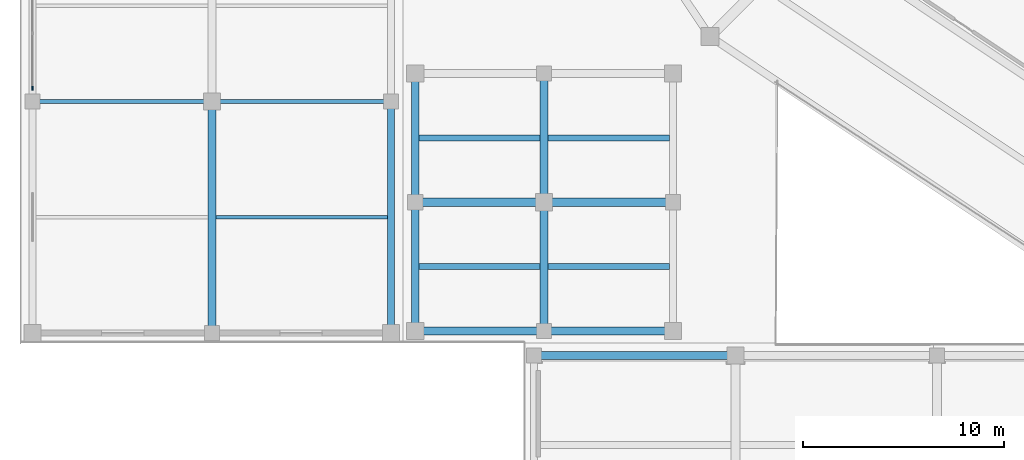
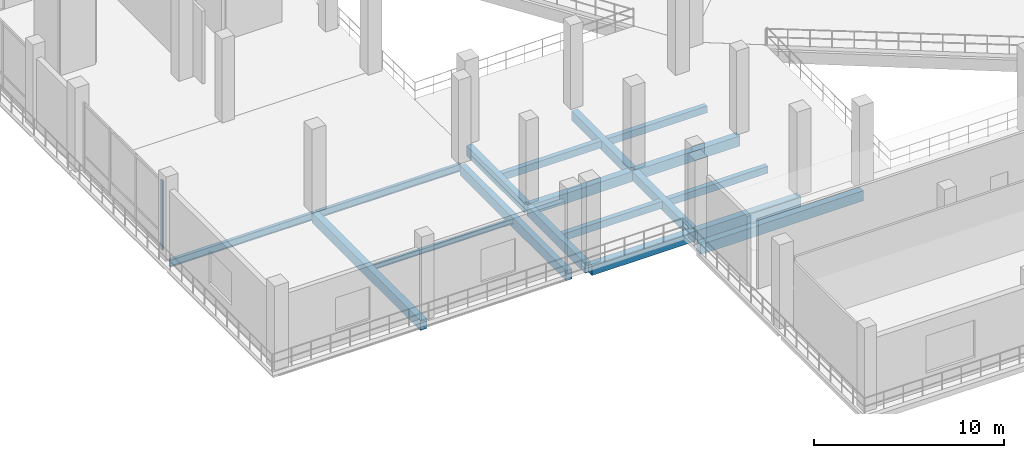
# One storey, part 12 of 114: 18 beams, 1 member, 1 element without a shape of its own.
"""IFC4 building model written with IfcOpenShell, lengths in metres."""

from ifc_helpers import new_model, si_unit, direction, frame, origin, origin_2d, place, context, subcontext, project, spatial, rectangle, i_section, extrude, material, material_profile, profile_set, type_object, element, aggregate, save


model = new_model("IFC4")

# Units and contexts
model_context = context("Model", 3, precision=1e-05, world=origin(), true_north=direction((0.0, 1.0)))
body_context = subcontext(model_context, "Body", "Model", "MODEL_VIEW")
ifc_project = project(units=[si_unit("LENGTHUNIT", "METRE"), si_unit("AREAUNIT", "SQUARE_METRE"), si_unit("VOLUMEUNIT", "CUBIC_METRE"), si_unit("PLANEANGLEUNIT", "RADIAN"), si_unit("MASSUNIT", "GRAM", prefix="KILO")], contexts=[model_context])

# Site, building, storey
site_placement = place(None, origin())
site = spatial("IfcSite", under=ifc_project, at=site_placement, CompositionType="ELEMENT")
building_placement = place(site_placement, origin())
building = spatial("IfcBuilding", under=site, at=building_placement, Name="Candeia Ridge Stadium", CompositionType="ELEMENT")
storey_placement = place(building_placement, frame((0.0, 0.0, 5.39990234375)))
storey = spatial("IfcBuildingStorey", under=building, at=storey_placement, Name="L01", CompositionType="ELEMENT", Elevation=5.39990234375)

# Curtain wall, member
ifc_material_1 = material(Name="Aluminium Anodized Warm Bronze", Category="aluminium")
curtain_wall_type = type_object("IfcCurtainWallType", Name="Cardinal Entrance Gate Tall Glazed Curtain Wall", PredefinedType="NOTDEFINED", material=ifc_material_1)
curtain_wall_placement = place(storey_placement, origin())
curtain_wall = element("IfcCurtainWall", 1, at=curtain_wall_placement, inside=storey, type_object=curtain_wall_type, Name="Unitised curtain wall CW-WNG-L01-075", PredefinedType="NOTDEFINED")
ifc_material_profile_1 = material_profile(ifc_material_1, rectangle(XDim=0.090087890625, YDim=0.179931640625, at=origin_2d()), Name="CWM-90x180", Category="aluminium")
ifc_profile_set_1 = profile_set([ifc_material_profile_1], Name="Aluminium Anodized Warm Bronze")
member_type = type_object("IfcMemberType", Name="Curtain Wall Primary Mullion 90x180", PredefinedType="MULLION", material=ifc_profile_set_1)
member_placement = place(storey_placement, frame((0.60009765625, 31.659912109375, 0.0), z_axis=(0.0, 0.0, 1.0), x_axis=(1.0, 0.0, 0.0)))
member = element("IfcMember", 2, at=member_placement, type_object=member_type, Name="Curtain wall mullion CW-WNG-L01-075-M0", PredefinedType="MULLION", context=body_context, shape_type="SweptSolid", body=[
    extrude(rectangle(XDim=0.090087890625, YDim=0.179931640625, at=origin_2d()), origin(), (0.0, 0.0, 1.0), 4.47509765625),
])
aggregate(curtain_wall, [member])

# Beams
ifc_material_2 = material(Name="Concrete C40/50", Category="concrete")
ifc_material_profile_2 = material_profile(ifc_material_2, rectangle(XDim=0.300048828125, YDim=0.449951171875, at=origin_2d()), Name="RC300x450", Category="concrete")
ifc_profile_set_2 = profile_set([ifc_material_profile_2], Name="Concrete C40/50")
beam_type_1 = type_object("IfcBeamType", Name="Floor Joist RC300x450", PredefinedType="JOIST", material=ifc_profile_set_2)
for number, where, z_axis, x_axis, name in (
    (3, (19.7744140625, 22.800048828125, -0.48486328125), (1.0, 0.0, 0.0), (0.0, 1.0, 0.0), "Wing secondary joist BM-L01-2067"),
    (4, (19.7744140625, 29.199951171875, -0.48486328125), (1.0, 0.0, 0.0), (0.0, 1.0, 0.0), "Wing secondary joist BM-L01-2069"),
    (5, (26.199462890625, 22.800048828125, -0.48486328125), (1.0, 0.0, 0.0), (0.0, 1.0, 0.0), "Wing secondary joist BM-L01-2072"),
    (6, (26.199462890625, 29.199951171875, -0.48486328125), (1.0, 0.0, 0.0), (0.0, 1.0, 0.0), "Wing secondary joist BM-L01-2074"),
):
    element("IfcBeam", number, at=place(storey_placement, frame(where, z_axis=z_axis, x_axis=x_axis)), inside=storey, type_object=beam_type_1, Name=name, PredefinedType="JOIST", context=body_context, shape_type="SweptSolid", body=[
        extrude(rectangle(XDim=0.300048828125, YDim=0.449951171875, at=origin_2d()), origin(), (0.0, 0.0, 1.0), 6.026123046875),
    ])
ifc_material_profile_3 = material_profile(ifc_material_2, rectangle(XDim=0.39990234375, YDim=0.60009765625, at=origin_2d()), Name="RC400x600", Category="concrete")
ifc_profile_set_3 = profile_set([ifc_material_profile_3], Name="Concrete C40/50")
beam_type_2 = type_object("IfcBeamType", Name="Frame Girder RC400x600", PredefinedType="BEAM", material=ifc_profile_set_3)
for number, where, z_axis, x_axis, name in (
    (7, (26.0, 19.760009765625, -0.559814453125), (0.0, 1.0, 0.0), (-1.0, 0.0, 0.0), "Structural girder BM-L01-2062"),
    (8, (26.0, 26.159912109375, -0.559814453125), (0.0, 1.0, 0.0), (-1.0, 0.0, 0.0), "Structural girder BM-L01-2063"),
):
    element("IfcBeam", number, at=place(storey_placement, frame(where, z_axis=z_axis, x_axis=x_axis)), inside=storey, type_object=beam_type_2, Name=name, PredefinedType="BEAM", context=body_context, shape_type="SweptSolid", body=[
        extrude(rectangle(XDim=0.39990234375, YDim=0.60009765625, at=origin_2d()), origin(), (0.0, 0.0, 1.0), 6.080078125),
    ])
ifc_material_3 = material(Name="Steel ASTM A572 Grade 50", Category="steel")
ifc_material_profile_4 = material_profile(ifc_material_3, i_section(OverallWidth=0.1669921875, OverallDepth=0.31689453125, WebThickness=0.007568359375, FlangeThickness=0.01318359375, FilletRadius=0.011962890625, at=origin_2d()), Name="W310x52", Category="steel")
ifc_profile_set_4 = profile_set([ifc_material_profile_4], Name="Steel ASTM A572 Grade 50")
beam_type_3 = type_object("IfcBeamType", Name="Pavilion Secondary Joist W310x52", PredefinedType="JOIST", material=ifc_profile_set_4)
beam_1_placement = place(storey_placement, frame((9.699462890625, 25.25, -0.41845703125), z_axis=(1.0, 0.0, 0.0), x_axis=(0.0, 1.0, 0.0)))
element("IfcBeam", 9, at=beam_1_placement, inside=storey, type_object=beam_type_3, Name="Wing secondary joist BM-L01-1090", PredefinedType="JOIST", context=body_context, shape_type="SweptSolid", body=[
    extrude(i_section(OverallWidth=0.1669921875, OverallDepth=0.31689453125, WebThickness=0.007568359375, FlangeThickness=0.01318359375, FilletRadius=0.011962890625, at=origin_2d()), origin(), (0.0, 0.0, 1.0), 8.526123046875),
])
ifc_material_profile_5 = material_profile(ifc_material_3, i_section(OverallWidth=0.18994140625, OverallDepth=0.45703125, WebThickness=0.009033203125, FlangeThickness=0.014404296875, FilletRadius=0.012939453125, at=origin_2d()), Name="W460x74", Category="steel")
ifc_profile_set_5 = profile_set([ifc_material_profile_5], Name="Steel ASTM A572 Grade 50")
beam_type_4 = type_object("IfcBeamType", Name="Pavilion Steel Girder W460x74", PredefinedType="BEAM", material=ifc_profile_set_5)
for number, where, z_axis, x_axis, name in (
    (10, (0.64990234375, 31.0, -0.48828125), (1.0, 0.0, 0.0), (0.0, 1.0, 0.0), "Structural girder BM-L01-1073"),
    (11, (9.550048828125, 31.0, -0.48828125), (1.0, 0.0, 0.0), (0.0, 1.0, 0.0), "Structural girder BM-L01-1091"),
):
    element("IfcBeam", number, at=place(storey_placement, frame(where, z_axis=z_axis, x_axis=x_axis)), inside=storey, type_object=beam_type_4, Name=name, PredefinedType="BEAM", context=body_context, shape_type="SweptSolid", body=[
        extrude(i_section(OverallWidth=0.18994140625, OverallDepth=0.45703125, WebThickness=0.009033203125, FlangeThickness=0.014404296875, FilletRadius=0.012939453125, at=origin_2d()), origin(), (0.0, 0.0, 1.0), 8.800048828125),
    ])
ifc_material_profile_6 = material_profile(ifc_material_2, rectangle(XDim=0.35009765625, YDim=0.64990234375, at=origin_2d()), Name="RC350x650", Category="concrete")
ifc_profile_set_6 = profile_set([ifc_material_profile_6], Name="Concrete C40/50")
beam_type_5 = type_object("IfcBeamType", Name="Spandrel Beam RC350x650", PredefinedType="SPANDREL", material=ifc_profile_set_6)
beam_2_placement = place(storey_placement, frame((18.39990234375, 19.659912109375, -0.5849609375), z_axis=(0.0, 1.0, 0.0), x_axis=(-1.0, 0.0, 0.0)))
element("IfcBeam", 12, at=beam_2_placement, inside=storey, type_object=beam_type_5, Name="Structural girder BM-L01-1059", PredefinedType="SPANDREL", context=body_context, shape_type="SweptSolid", body=[
    extrude(rectangle(XDim=0.35009765625, YDim=0.64990234375, at=origin_2d()), origin(), (0.0, 0.0, 1.0), 11.18017578125),
])
for number, where, z_axis, x_axis, name in (
    (13, (19.60009765625, 19.760009765625, -0.5849609375), (0.0, 1.0, 0.0), (-1.0, 0.0, 0.0), "Structural girder BM-L01-2060"),
    (14, (19.60009765625, 26.159912109375, -0.5849609375), (0.0, 1.0, 0.0), (-1.0, 0.0, 0.0), "Structural girder BM-L01-2061"),
):
    element("IfcBeam", number, at=place(storey_placement, frame(where, z_axis=z_axis, x_axis=x_axis)), inside=storey, type_object=beam_type_5, Name=name, PredefinedType="SPANDREL", context=body_context, shape_type="SweptSolid", body=[
        extrude(rectangle(XDim=0.35009765625, YDim=0.64990234375, at=origin_2d()), origin(), (0.0, 0.0, 1.0), 6.080078125),
    ])
ifc_material_profile_7 = material_profile(ifc_material_2, rectangle(XDim=0.39990234375, YDim=0.64990234375, at=origin_2d()), Name="RC400x650", Category="concrete")
ifc_profile_set_7 = profile_set([ifc_material_profile_7], Name="Concrete C40/50")
beam_type_6 = type_object("IfcBeamType", Name="Wing Primary Girder RC400x650", PredefinedType="BEAM", material=ifc_profile_set_7)
beam_3_placement = place(storey_placement, frame((9.5, 19.550048828125, -0.5849609375), z_axis=(0.0, 1.0, 0.0), x_axis=(-1.0, 0.0, 0.0)))
element("IfcBeam", 15, at=beam_3_placement, inside=storey, type_object=beam_type_6, Name="Structural girder BM-L01-1047", PredefinedType="BEAM", context=body_context, shape_type="SweptSolid", body=[
    extrude(rectangle(XDim=0.39990234375, YDim=0.64990234375, at=origin_2d()), origin(), (0.0, 0.0, 1.0), 11.39990234375),
])
beam_4_placement = place(storey_placement, frame((25.550048828125, 18.39990234375, -0.5849609375), z_axis=(1.0, 0.0, 0.0), x_axis=(0.0, 1.0, 0.0)))
element("IfcBeam", 16, at=beam_4_placement, inside=storey, type_object=beam_type_6, Name="Structural girder BM-L01-1955", PredefinedType="BEAM", context=body_context, shape_type="SweptSolid", body=[
    extrude(rectangle(XDim=0.39990234375, YDim=0.64990234375, at=origin_2d()), origin(), (0.0, 0.0, 1.0), 9.89990234375),
])
for number, where, z_axis, x_axis, name in (
    (17, (19.64990234375, 19.60009765625, -0.5849609375), (1.0, 0.0, 0.0), (0.0, 1.0, 0.0), "Structural girder BM-L01-2066"),
    (18, (19.64990234375, 26.0, -0.5849609375), (1.0, 0.0, 0.0), (0.0, 1.0, 0.0), "Structural girder BM-L01-2068"),
    (19, (26.050048828125, 19.60009765625, -0.5849609375), (1.0, 0.0, 0.0), (0.0, 1.0, 0.0), "Structural girder BM-L01-2071"),
    (20, (26.050048828125, 26.0, -0.5849609375), (1.0, 0.0, 0.0), (0.0, 1.0, 0.0), "Structural girder BM-L01-2073"),
):
    element("IfcBeam", number, at=place(storey_placement, frame(where, z_axis=z_axis, x_axis=x_axis)), inside=storey, type_object=beam_type_6, Name=name, PredefinedType="BEAM", context=body_context, shape_type="SweptSolid", body=[
        extrude(rectangle(XDim=0.39990234375, YDim=0.64990234375, at=origin_2d()), origin(), (0.0, 0.0, 1.0), 6.300048828125),
    ])

save(model, "model.ifc")
